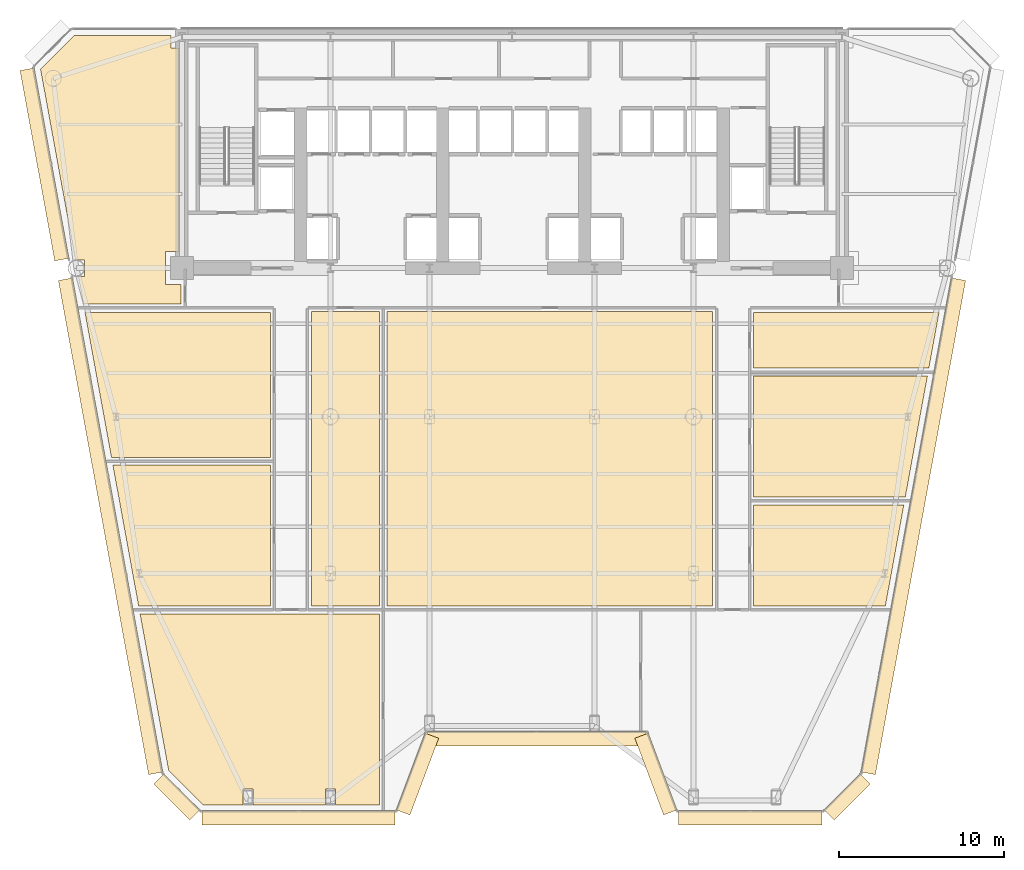
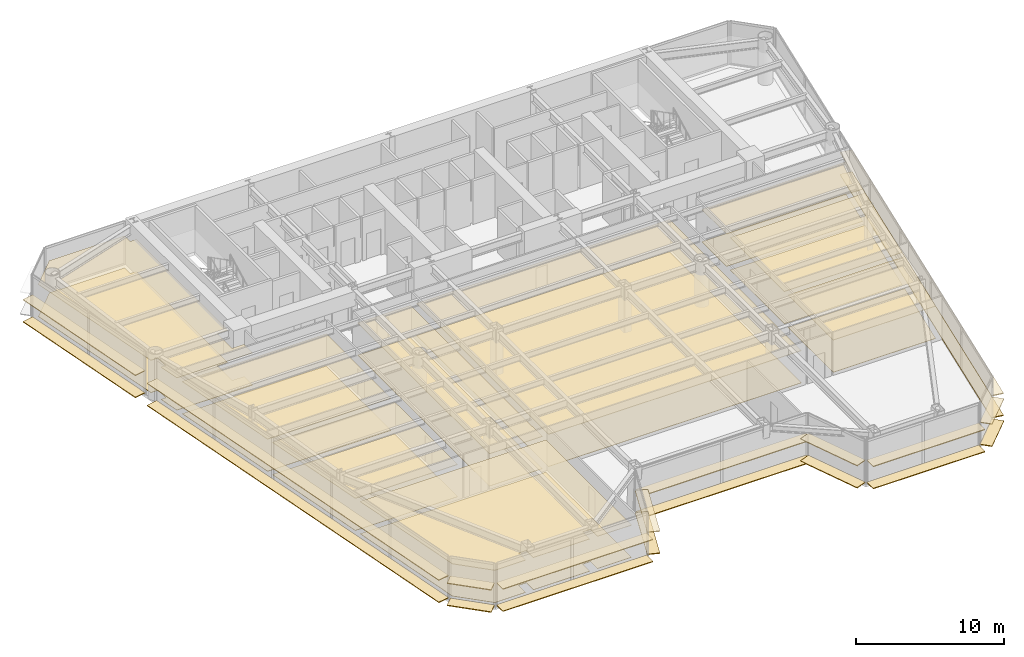
# One storey, part 11 of 14: 38 coverings.
"""IFC4 building model written with IfcOpenShell, lengths in metres."""

from ifc_helpers import new_model, si_unit, direction, frame, origin, origin_2d, place, context, subcontext, project, spatial, polyline, rectangle, outline, extrude, source, transform, mapped, material, layer, layer_set, type_object, element, save


model = new_model("IFC4")

# Units and contexts
model_context = context("Model", 3, precision=1e-05, world=origin(), true_north=direction((0.0, 1.0)))
body_context = subcontext(model_context, "Body", "Model", "MODEL_VIEW")
ifc_project = project(units=[si_unit("LENGTHUNIT", "METRE"), si_unit("AREAUNIT", "SQUARE_METRE"), si_unit("VOLUMEUNIT", "CUBIC_METRE"), si_unit("PLANEANGLEUNIT", "RADIAN"), si_unit("MASSUNIT", "GRAM", prefix="KILO")], contexts=[model_context])

# Site, building, storey
site_placement = place(None, origin())
site = spatial("IfcSite", under=ifc_project, at=site_placement, CompositionType="ELEMENT")
building_placement = place(site_placement, origin())
building = spatial("IfcBuilding", under=site, at=building_placement, Name="Vaeldorn Concourse Tower", CompositionType="ELEMENT")
storey_placement = place(building_placement, frame((0.0, 0.0, 88.199951171875)))
storey = spatial("IfcBuildingStorey", under=building, at=storey_placement, Name="L22", CompositionType="ELEMENT", Elevation=88.199951171875)

# Coverings
ifc_material_1 = material(Name="Acoustic Mineral Fibre Board", Category="gypsum")
ifc_layer_1 = layer(ifc_material_1, 0.0400390625)
ifc_layer_set_1 = layer_set([ifc_layer_1], Name="Acoustic Mineral Fibre Board")
covering_type_1 = type_object("IfcCoveringType", Name="COV-CEIL-ACOUSTIC", PredefinedType="CEILING", material=ifc_layer_set_1)
covering_1_placement = place(storey_placement, frame((0.0, 0.0, 2.650146484375)))
element("IfcCovering", 1, at=covering_1_placement, inside=storey, type_object=covering_type_1, Name="Suspended Acoustic Ceiling L22-3", PredefinedType="CEILING", context=body_context, shape_type="SweptSolid", body=[
    extrude(outline(polyline([(7.4658203125, 50.60009765625), (13.340087890625, 50.60009765625), (13.340087890625, 49.840087890625), (13.820068359375, 49.840087890625), (13.820068359375, 37.5), (13.0, 37.5), (13.0, 35.5), (13.93994140625, 35.5), (13.93994140625, 34.340087890625), (8.030517578125, 34.340087890625), (7.728759765625, 35.991943359375), (8.10791015625, 35.991943359375), (8.10791015625, 37.008056640625), (7.543212890625, 37.008056640625), (5.43115234375, 48.5654296875), (7.4658203125, 50.60009765625)])), origin(), (0.0, 0.0, 1.0), 0.039794921875),
])
covering_2_placement = place(storey_placement, frame((0.0, 0.0, 2.650146484375)))
element("IfcCovering", 2, at=covering_2_placement, inside=storey, type_object=covering_type_1, Name="Suspended Acoustic Ceiling L22-5", PredefinedType="CEILING", context=body_context, shape_type="SweptSolid", body=[
    extrude(outline(polyline([(19.360107421875, 24.56005859375), (19.360107421875, 16.0400390625), (11.37451171875, 16.0400390625), (11.13671875, 17.341064453125), (9.817626953125, 24.56005859375), (19.360107421875, 24.56005859375)])), origin(), (0.0, 0.0, 1.0), 0.039794921875),
])
covering_3_placement = place(storey_placement, frame((0.0, 0.0, 2.650146484375)))
element("IfcCovering", 3, at=covering_3_placement, inside=storey, type_object=covering_type_1, Name="Suspended Acoustic Ceiling L22-6", PredefinedType="CEILING", context=body_context, shape_type="SweptSolid", body=[
    extrude(outline(polyline([(19.360107421875, 33.800048828125), (19.360107421875, 25.0400390625), (9.72998046875, 25.0400390625), (8.12939453125, 33.800048828125), (19.360107421875, 33.800048828125)])), origin(), (0.0, 0.0, 1.0), 0.039794921875),
])
covering_4_placement = place(storey_placement, frame((0.0, 0.0, 2.650146484375)))
element("IfcCovering", 4, at=covering_4_placement, inside=storey, type_object=covering_type_1, Name="Suspended Acoustic Ceiling L22-7", PredefinedType="CEILING", context=body_context, shape_type="SweptSolid", body=[
    extrude(outline(polyline([(48.639892578125, 22.159912109375), (57.74365234375, 22.159912109375), (56.79345703125, 16.958984375), (56.62548828125, 16.0400390625), (48.639892578125, 16.0400390625), (48.639892578125, 22.159912109375)])), origin(), (0.0, 0.0, 1.0), 0.039794921875),
])
covering_5_placement = place(storey_placement, frame((0.0, 0.0, 2.650146484375)))
element("IfcCovering", 5, at=covering_5_placement, inside=storey, type_object=covering_type_1, Name="Suspended Acoustic Ceiling L22-8", PredefinedType="CEILING", context=body_context, shape_type="SweptSolid", body=[
    extrude(outline(polyline([(48.639892578125, 22.639892578125), (48.639892578125, 29.9599609375), (59.1689453125, 29.9599609375), (57.83154296875, 22.639892578125), (48.639892578125, 22.639892578125)])), origin(), (0.0, 0.0, 1.0), 0.039794921875),
])
covering_6_placement = place(storey_placement, frame((0.0, 0.0, 2.650146484375)))
element("IfcCovering", 6, at=covering_6_placement, inside=storey, type_object=covering_type_1, Name="Suspended Acoustic Ceiling L22-9", PredefinedType="CEILING", context=body_context, shape_type="SweptSolid", body=[
    extrude(outline(polyline([(48.639892578125, 30.43994140625), (48.639892578125, 33.800048828125), (59.87060546875, 33.800048828125), (59.2568359375, 30.43994140625), (48.639892578125, 30.43994140625)])), origin(), (0.0, 0.0, 1.0), 0.039794921875),
])
covering_7_placement = place(storey_placement, frame((0.0, 0.0, 2.650146484375)))
element("IfcCovering", 7, at=covering_7_placement, inside=storey, type_object=covering_type_1, Name="Suspended Acoustic Ceiling L22-10", PredefinedType="CEILING", context=body_context, shape_type="SweptSolid", body=[
    extrude(outline(polyline([(21.840087890625, 33.860107421875), (25.9599609375, 33.860107421875), (25.9599609375, 16.0400390625), (21.840087890625, 16.0400390625), (21.840087890625, 33.860107421875)])), origin(), (0.0, 0.0, 1.0), 0.039794921875),
])
covering_8_placement = place(storey_placement, frame((0.0, 0.0, 2.650146484375)))
element("IfcCovering", 8, at=covering_8_placement, inside=storey, type_object=covering_type_1, Name="Suspended Acoustic Ceiling L22-11", PredefinedType="CEILING", context=body_context, shape_type="SweptSolid", body=[
    extrude(outline(polyline([(26.43994140625, 33.860107421875), (46.159912109375, 33.860107421875), (46.159912109375, 16.0400390625), (26.43994140625, 16.0400390625), (26.43994140625, 33.860107421875)])), origin(), (0.0, 0.0, 1.0), 0.039794921875),
])
covering_9_placement = place(storey_placement, frame((0.0, 0.0, 2.650146484375)))
element("IfcCovering", 9, at=covering_9_placement, inside=storey, type_object=covering_type_1, Name="Suspended Acoustic Ceiling L22-12", PredefinedType="CEILING", context=body_context, shape_type="SweptSolid", body=[
    extrude(outline(polyline([(25.9599609375, 15.56005859375), (25.9599609375, 3.986083984375), (23.300048828125, 3.986083984375), (23.300048828125, 4.93603515625), (22.699951171875, 4.93603515625), (22.699951171875, 3.986083984375), (18.300048828125, 3.986083984375), (18.300048828125, 4.93603515625), (17.699951171875, 4.93603515625), (17.699951171875, 3.986083984375), (15.2890625, 3.986083984375), (13.1943359375, 6.080810546875), (11.46240234375, 15.56005859375), (25.9599609375, 15.56005859375)])), origin(), (0.0, 0.0, 1.0), 0.039794921875),
])
ifc_material_2 = material(Name="Honed Limestone Terrazzo Flooring", Category="masonry")
ifc_layer_2 = layer(ifc_material_2, 0.0400390625)
ifc_layer_set_2 = layer_set([ifc_layer_2], Name="Honed Limestone Terrazzo Flooring")
covering_type_2 = type_object("IfcCoveringType", Name="COV-FLOOR-STONE", PredefinedType="FLOORING", material=ifc_layer_set_2)
covering_10_placement = place(storey_placement, origin())
element("IfcCovering", 10, at=covering_10_placement, inside=storey, type_object=covering_type_2, Name="Floor Finish Covering L22-3", PredefinedType="FLOORING", context=body_context, shape_type="SweptSolid", body=[
    extrude(outline(polyline([(7.4658203125, 50.60009765625), (13.340087890625, 50.60009765625), (13.340087890625, 49.840087890625), (13.820068359375, 49.840087890625), (13.820068359375, 37.5), (13.0, 37.5), (13.0, 35.5), (13.93994140625, 35.5), (13.93994140625, 34.340087890625), (8.030517578125, 34.340087890625), (7.728759765625, 35.991943359375), (8.10791015625, 35.991943359375), (8.10791015625, 37.008056640625), (7.543212890625, 37.008056640625), (5.43115234375, 48.5654296875), (7.4658203125, 50.60009765625)])), origin(), (0.0, 0.0, 1.0), 0.030029296875),
])
covering_11_placement = place(storey_placement, origin())
element("IfcCovering", 11, at=covering_11_placement, inside=storey, type_object=covering_type_2, Name="Floor Finish Covering L22-5", PredefinedType="FLOORING", context=body_context, shape_type="SweptSolid", body=[
    extrude(outline(polyline([(19.360107421875, 24.56005859375), (19.360107421875, 16.0400390625), (11.37451171875, 16.0400390625), (11.13671875, 17.341064453125), (9.817626953125, 24.56005859375), (19.360107421875, 24.56005859375)])), origin(), (0.0, 0.0, 1.0), 0.030029296875),
])
covering_12_placement = place(storey_placement, origin())
element("IfcCovering", 12, at=covering_12_placement, inside=storey, type_object=covering_type_2, Name="Floor Finish Covering L22-6", PredefinedType="FLOORING", context=body_context, shape_type="SweptSolid", body=[
    extrude(outline(polyline([(19.360107421875, 33.800048828125), (19.360107421875, 25.0400390625), (9.72998046875, 25.0400390625), (8.12939453125, 33.800048828125), (19.360107421875, 33.800048828125)])), origin(), (0.0, 0.0, 1.0), 0.030029296875),
])
covering_13_placement = place(storey_placement, origin())
element("IfcCovering", 13, at=covering_13_placement, inside=storey, type_object=covering_type_2, Name="Floor Finish Covering L22-7", PredefinedType="FLOORING", context=body_context, shape_type="SweptSolid", body=[
    extrude(outline(polyline([(48.639892578125, 22.159912109375), (57.74365234375, 22.159912109375), (56.79345703125, 16.958984375), (56.62548828125, 16.0400390625), (48.639892578125, 16.0400390625), (48.639892578125, 22.159912109375)])), origin(), (0.0, 0.0, 1.0), 0.030029296875),
])
covering_14_placement = place(storey_placement, origin())
element("IfcCovering", 14, at=covering_14_placement, inside=storey, type_object=covering_type_2, Name="Floor Finish Covering L22-8", PredefinedType="FLOORING", context=body_context, shape_type="SweptSolid", body=[
    extrude(outline(polyline([(48.639892578125, 22.639892578125), (48.639892578125, 29.9599609375), (59.1689453125, 29.9599609375), (57.83154296875, 22.639892578125), (48.639892578125, 22.639892578125)])), origin(), (0.0, 0.0, 1.0), 0.030029296875),
])
covering_15_placement = place(storey_placement, origin())
element("IfcCovering", 15, at=covering_15_placement, inside=storey, type_object=covering_type_2, Name="Floor Finish Covering L22-9", PredefinedType="FLOORING", context=body_context, shape_type="SweptSolid", body=[
    extrude(outline(polyline([(48.639892578125, 30.43994140625), (48.639892578125, 33.800048828125), (59.87060546875, 33.800048828125), (59.2568359375, 30.43994140625), (48.639892578125, 30.43994140625)])), origin(), (0.0, 0.0, 1.0), 0.030029296875),
])
covering_16_placement = place(storey_placement, origin())
element("IfcCovering", 16, at=covering_16_placement, inside=storey, type_object=covering_type_2, Name="Floor Finish Covering L22-10", PredefinedType="FLOORING", context=body_context, shape_type="SweptSolid", body=[
    extrude(outline(polyline([(21.840087890625, 33.860107421875), (25.9599609375, 33.860107421875), (25.9599609375, 16.0400390625), (21.840087890625, 16.0400390625), (21.840087890625, 33.860107421875)])), origin(), (0.0, 0.0, 1.0), 0.030029296875),
])
covering_17_placement = place(storey_placement, origin())
element("IfcCovering", 17, at=covering_17_placement, inside=storey, type_object=covering_type_2, Name="Floor Finish Covering L22-11", PredefinedType="FLOORING", context=body_context, shape_type="SweptSolid", body=[
    extrude(outline(polyline([(26.43994140625, 33.860107421875), (46.159912109375, 33.860107421875), (46.159912109375, 16.0400390625), (26.43994140625, 16.0400390625), (26.43994140625, 33.860107421875)])), origin(), (0.0, 0.0, 1.0), 0.030029296875),
])
covering_18_placement = place(storey_placement, origin())
element("IfcCovering", 18, at=covering_18_placement, inside=storey, type_object=covering_type_2, Name="Floor Finish Covering L22-12", PredefinedType="FLOORING", context=body_context, shape_type="SweptSolid", body=[
    extrude(outline(polyline([(25.9599609375, 15.56005859375), (25.9599609375, 3.986083984375), (23.300048828125, 3.986083984375), (23.300048828125, 4.93603515625), (22.699951171875, 4.93603515625), (22.699951171875, 3.986083984375), (18.300048828125, 3.986083984375), (18.300048828125, 4.93603515625), (17.699951171875, 4.93603515625), (17.699951171875, 3.986083984375), (15.2890625, 3.986083984375), (13.1943359375, 6.080810546875), (11.46240234375, 15.56005859375), (25.9599609375, 15.56005859375)])), origin(), (0.0, 0.0, 1.0), 0.030029296875),
])
ifc_material_3 = material(Name="Anodised Bronze Aluminium", Category="aluminium")
ifc_layer_3 = layer(ifc_material_3, 0.06494140625)
ifc_layer_set_3 = layer_set([ifc_layer_3], Name="Anodised Bronze Aluminium")
covering_type_3 = type_object("IfcCoveringType", Name="SD-BRONZE-SUNSHADE", PredefinedType="USERDEFINED", material=ifc_layer_set_3)
shared_shape_1 = source(origin(), body_context, "Body", "SweptSolid", [
    extrude(rectangle(XDim=4.96630859375, YDim=0.8798828125, at=origin_2d()), origin(), (0.0, 0.0, 1.0), 0.06494140625),
])
for number, where, z_axis, x_axis, name in (
    (19, (28.2744140625, 5.845703125, 0.047607421875), (0.0, 0.0, 1.0), (0.351122702609, 0.936329454686, 0.0), "Horizontal Bronze Sunshade L22-E02.1.1"),
    (20, (28.2744140625, 5.845703125, 1.86767578125), (0.0, 0.0, 1.0), (0.351122702609, 0.936329454686, 0.0), "Horizontal Bronze Sunshade L22-E02.1.2"),
    (21, (42.7255859375, 5.845703125, 0.047607421875), (0.0, 0.0, 1.0), (0.351122702609, -0.936329454686, 0.0), "Horizontal Bronze Sunshade L22-E04.1.1"),
    (22, (42.7255859375, 5.845703125, 1.86767578125), (0.0, 0.0, 1.0), (0.351122702609, -0.936329454686, 0.0), "Horizontal Bronze Sunshade L22-E04.1.2"),
):
    element("IfcCovering", number, at=place(storey_placement, frame(where, z_axis=z_axis, x_axis=x_axis)), inside=storey, type_object=covering_type_3, Name=name, ObjectType="SUNSHADE", PredefinedType="USERDEFINED", context=body_context, shape_type="MappedRepresentation", body=[
        mapped(shared_shape_1, transform((0.0, 0.0, 0.0), scale=1.0)),
    ])
shared_shape_2 = source(origin(), body_context, "Body", "SweptSolid", [
    extrude(rectangle(XDim=13.239990234375, YDim=0.8798828125, at=origin_2d()), origin(), (0.0, 0.0, 1.0), 0.06494140625),
])
for number, where, z_axis, x_axis, name in (
    (23, (35.5, 7.986083984375, 0.047607421875), (0.0, 0.0, 1.0), (1.0, 0.0, 0.0), "Horizontal Bronze Sunshade L22-E03.1.1"),
    (24, (35.5, 7.986083984375, 1.86767578125), (0.0, 0.0, 1.0), (1.0, 0.0, 0.0), "Horizontal Bronze Sunshade L22-E03.1.2"),
):
    element("IfcCovering", number, at=place(storey_placement, frame(where, z_axis=z_axis, x_axis=x_axis)), inside=storey, type_object=covering_type_3, Name=name, ObjectType="SUNSHADE", PredefinedType="USERDEFINED", context=body_context, shape_type="MappedRepresentation", body=[
        mapped(shared_shape_2, transform((0.0, 0.0, 0.0), scale=1.0)),
    ])
shared_shape_3 = source(origin(), body_context, "Body", "SweptSolid", [
    extrude(rectangle(XDim=3.0927734375, YDim=0.8798828125, at=origin_2d()), origin(), (0.0, 0.0, 1.0), 0.06494140625),
])
for number, where, z_axis, x_axis, name in (
    (25, (54.3095703125, 4.453369140625, 0.047607421875), (0.0, 0.0, 1.0), (0.707106781187, 0.707106781187, 0.0), "Horizontal Bronze Sunshade L22-E06.1.1"),
    (26, (54.3095703125, 4.453369140625, 1.86767578125), (0.0, 0.0, 1.0), (0.707106781187, 0.707106781187, 0.0), "Horizontal Bronze Sunshade L22-E06.1.2"),
    (27, (13.6904296875, 4.453369140625, 0.047607421875), (0.0, 0.0, 1.0), (0.707106781187, -0.707106781187, 0.0), "Horizontal Bronze Sunshade L22-E12.1.1"),
    (28, (13.6904296875, 4.453369140625, 1.86767578125), (0.0, 0.0, 1.0), (0.707106781187, -0.707106781187, 0.0), "Horizontal Bronze Sunshade L22-E12.1.2"),
):
    element("IfcCovering", number, at=place(storey_placement, frame(where, z_axis=z_axis, x_axis=x_axis)), inside=storey, type_object=covering_type_3, Name=name, ObjectType="SUNSHADE", PredefinedType="USERDEFINED", context=body_context, shape_type="MappedRepresentation", body=[
        mapped(shared_shape_3, transform((0.0, 0.0, 0.0), scale=1.0)),
    ])
shared_shape_4 = source(origin(), body_context, "Body", "SweptSolid", [
    extrude(rectangle(XDim=11.716796875, YDim=0.8798828125, at=origin_2d()), origin(), (0.0, 0.0, 1.0), 0.06494140625),
])
for number, where, z_axis, x_axis, name in (
    (29, (21.061767578125, 3.18603515625, 0.047607421875), (0.0, 0.0, 1.0), (1.0, 0.0, 0.0), "Horizontal Bronze Sunshade L22-E01.1.1"),
    (30, (21.061767578125, 3.18603515625, 1.86767578125), (0.0, 0.0, 1.0), (1.0, 0.0, 0.0), "Horizontal Bronze Sunshade L22-E01.1.2"),
):
    element("IfcCovering", number, at=place(storey_placement, frame(where, z_axis=z_axis, x_axis=x_axis)), inside=storey, type_object=covering_type_3, Name=name, ObjectType="SUNSHADE", PredefinedType="USERDEFINED", context=body_context, shape_type="MappedRepresentation", body=[
        mapped(shared_shape_4, transform((0.0, 0.0, 0.0), scale=1.0)),
    ])
shared_shape_5 = source(origin(), body_context, "Body", "SweptSolid", [
    extrude(rectangle(XDim=8.716796875, YDim=0.8798828125, at=origin_2d()), origin(), (0.0, 0.0, 1.0), 0.06494140625),
])
for number, where, z_axis, x_axis, name in (
    (31, (48.438232421875, 3.18603515625, 0.047607421875), (0.0, 0.0, 1.0), (1.0, 0.0, 0.0), "Horizontal Bronze Sunshade L22-E05.1.1"),
    (32, (48.438232421875, 3.18603515625, 1.86767578125), (0.0, 0.0, 1.0), (1.0, 0.0, 0.0), "Horizontal Bronze Sunshade L22-E05.1.2"),
):
    element("IfcCovering", number, at=place(storey_placement, frame(where, z_axis=z_axis, x_axis=x_axis)), inside=storey, type_object=covering_type_3, Name=name, ObjectType="SUNSHADE", PredefinedType="USERDEFINED", context=body_context, shape_type="MappedRepresentation", body=[
        mapped(shared_shape_5, transform((0.0, 0.0, 0.0), scale=1.0)),
    ])
shared_shape_6 = source(origin(), body_context, "Body", "SweptSolid", [
    extrude(rectangle(XDim=30.43408203125, YDim=0.8798828125, at=origin_2d()), origin(), (0.0, 0.0, 1.0), 0.06494140625),
])
for number, where, z_axis, x_axis, name in (
    (33, (58.31982421875, 20.862060546875, 0.047607421875), (0.0, 0.0, 1.0), (0.179746594427, 0.983712946846, 0.0), "Horizontal Bronze Sunshade L22-E07.1.1"),
    (34, (58.31982421875, 20.862060546875, 1.86767578125), (0.0, 0.0, 1.0), (0.179746594427, 0.983712946846, 0.0), "Horizontal Bronze Sunshade L22-E07.1.2"),
    (35, (9.68017578125, 20.862060546875, 0.047607421875), (0.0, 0.0, 1.0), (0.179746594427, -0.983712946846, 0.0), "Horizontal Bronze Sunshade L22-E11.2.1"),
    (36, (9.68017578125, 20.862060546875, 1.86767578125), (0.0, 0.0, 1.0), (0.179746594427, -0.983712946846, 0.0), "Horizontal Bronze Sunshade L22-E11.2.2"),
):
    element("IfcCovering", number, at=place(storey_placement, frame(where, z_axis=z_axis, x_axis=x_axis)), inside=storey, type_object=covering_type_3, Name=name, ObjectType="SUNSHADE", PredefinedType="USERDEFINED", context=body_context, shape_type="MappedRepresentation", body=[
        mapped(shared_shape_6, transform((0.0, 0.0, 0.0), scale=1.0)),
    ])
shared_shape_7 = source(origin(), body_context, "Body", "SweptSolid", [
    extrude(rectangle(XDim=11.71533203125, YDim=0.8798828125, at=origin_2d()), origin(), (0.0, 0.0, 1.0), 0.06494140625),
])
for number, where, z_axis, x_axis, name in (
    (37, (5.673828125, 42.787109375, 0.047607421875), (0.0, 0.0, 1.0), (0.179746594427, -0.983712946846, 0.0), "Horizontal Bronze Sunshade L22-E11.1.1"),
    (38, (5.673828125, 42.787109375, 1.86767578125), (0.0, 0.0, 1.0), (0.179746594427, -0.983712946846, 0.0), "Horizontal Bronze Sunshade L22-E11.1.2"),
):
    element("IfcCovering", number, at=place(storey_placement, frame(where, z_axis=z_axis, x_axis=x_axis)), inside=storey, type_object=covering_type_3, Name=name, ObjectType="SUNSHADE", PredefinedType="USERDEFINED", context=body_context, shape_type="MappedRepresentation", body=[
        mapped(shared_shape_7, transform((0.0, 0.0, 0.0), scale=1.0)),
    ])

save(model, "model.ifc")
